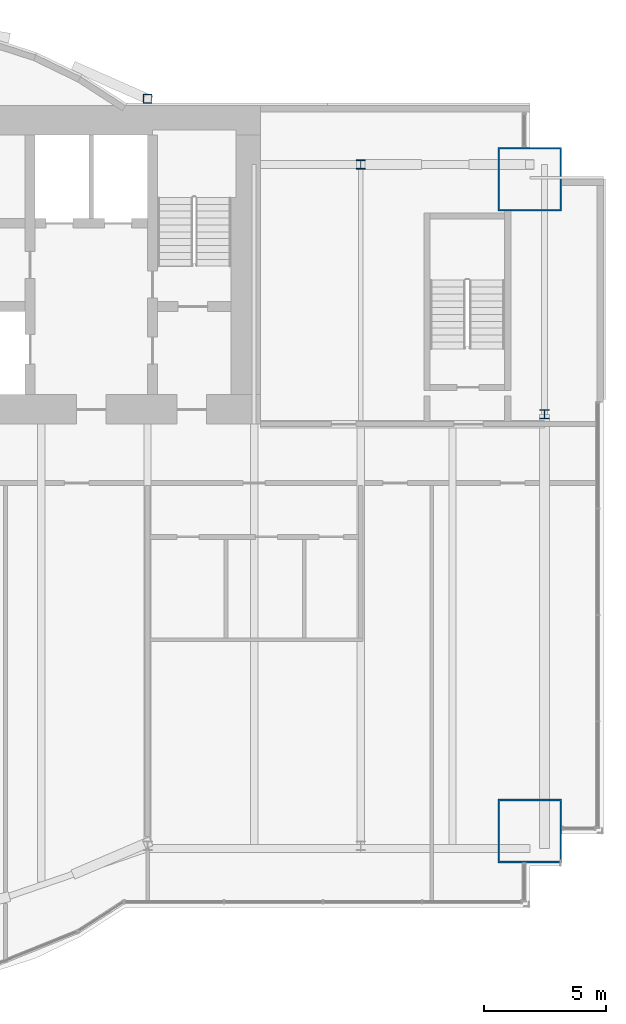
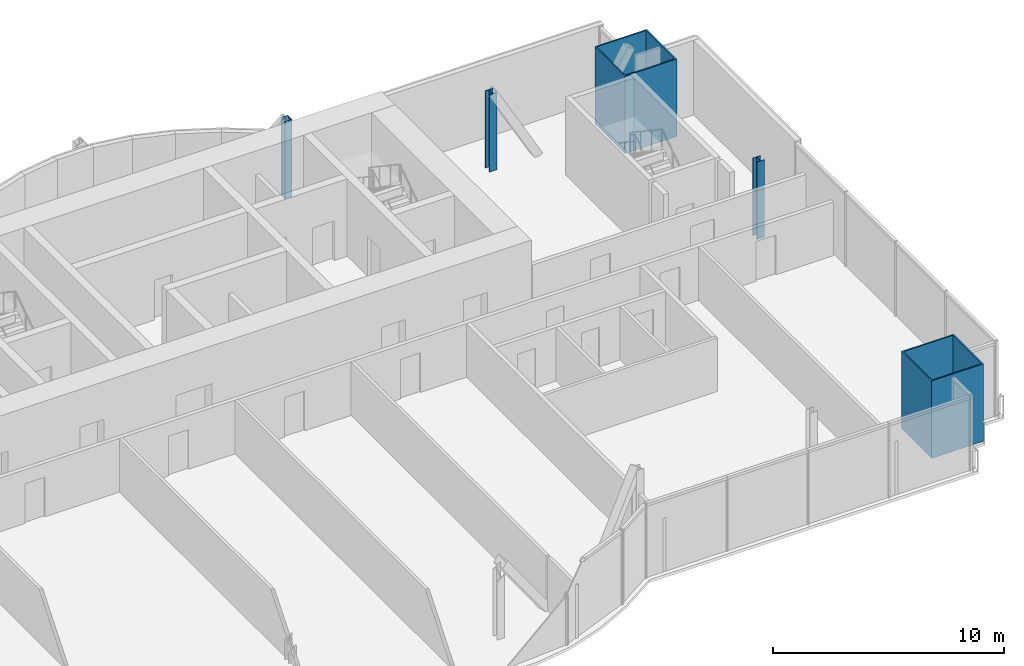
# One storey, part 4 of 20: 5 columns.
"""IFC4 building model written with IfcOpenShell, lengths in metres."""

from ifc_helpers import new_model, si_unit, direction, frame, origin, origin_2d, place, context, subcontext, project, spatial, hollow_rectangle, i_section, extrude, material, material_profile, profile_set, type_object, element, save


model = new_model("IFC4")

# Units and contexts
model_context = context("Model", 3, precision=1e-05, world=origin(), true_north=direction((0.0, 1.0)))
body_context = subcontext(model_context, "Body", "Model", "MODEL_VIEW")
ifc_project = project(units=[si_unit("LENGTHUNIT", "METRE"), si_unit("AREAUNIT", "SQUARE_METRE"), si_unit("VOLUMEUNIT", "CUBIC_METRE"), si_unit("PLANEANGLEUNIT", "RADIAN"), si_unit("MASSUNIT", "GRAM", prefix="KILO")], contexts=[model_context])

# Site, building, storey
site_placement = place(None, origin())
site = spatial("IfcSite", under=ifc_project, at=site_placement, CompositionType="ELEMENT")
building_placement = place(site_placement, origin())
building = spatial("IfcBuilding", under=site, at=building_placement, Name="Bicima Exchange Tower", CompositionType="ELEMENT")
storey_placement = place(building_placement, frame((0.0, 0.0, 199.10009765625)))
storey = spatial("IfcBuildingStorey", under=building, at=storey_placement, Name="L44", CompositionType="ELEMENT", Elevation=199.10009765625)

# Columns
ifc_material_1 = material(Name="Steel ASTM A572 Gr 50", Category="steel")
ifc_material_profile_1 = material_profile(ifc_material_1, hollow_rectangle(XDim=2.60009765625, YDim=2.60009765625, WallThickness=0.070068359375, at=origin_2d()))
ifc_profile_set_1 = profile_set([ifc_material_profile_1], Name="Steel ASTM A572 Gr 50")
column_type_1 = type_object("IfcColumnType", Name="Mega column BOX 2600x2600x70", PredefinedType="COLUMN", material=ifc_profile_set_1)
for number, where, z_axis, x_axis, name in (
    (1, (33.0, -29.60595703125, 0.0), (0.0, 0.0, 1.0), (1.0, 0.0, 0.0), "Mega column mega+33.0f"),
    (2, (33.0, -3.0, 0.0), (0.0, 0.0, 1.0), (1.0, 0.0, 0.0), "Mega column mega+33.0r"),
):
    element("IfcColumn", number, at=place(storey_placement, frame(where, z_axis=z_axis, x_axis=x_axis)), inside=storey, type_object=column_type_1, Name=name, PredefinedType="COLUMN", context=body_context, shape_type="SweptSolid", body=[
        extrude(hollow_rectangle(XDim=2.60009765625, YDim=2.60009765625, WallThickness=0.070068359375, at=origin_2d()), origin(), (0.0, 0.0, 1.0), 4.099853515625),
    ])
ifc_material_2 = material(Name="Steel ASTM A992 Gr 50", Category="steel")
ifc_material_profile_2 = material_profile(ifc_material_2, i_section(OverallWidth=0.373291015625, OverallDepth=0.373291015625, WebThickness=0.016357421875, FlangeThickness=0.026123046875, at=origin_2d()))
ifc_profile_set_2 = profile_set([ifc_material_profile_2], Name="Steel ASTM A992 Gr 50")
column_type_2 = type_object("IfcColumnType", Name="Perimeter column W14x132", PredefinedType="COLUMN", material=ifc_profile_set_2)
for number, where, z_axis, x_axis, name in (
    (3, (26.10009765625, -2.39990234375, 0.0), (0.0, 0.0, 1.0), (1.0, 0.0, 0.0), "Perimeter column grav+26.1r"),
    (4, (33.60009765625, -12.60009765625, 0.0), (0.0, 0.0, 1.0), (1.0, 0.0, 0.0), "End column end+33.6e"),
):
    element("IfcColumn", number, at=place(storey_placement, frame(where, z_axis=z_axis, x_axis=x_axis)), inside=storey, type_object=column_type_2, Name=name, PredefinedType="COLUMN", context=body_context, shape_type="SweptSolid", body=[
        extrude(i_section(OverallWidth=0.373291015625, OverallDepth=0.373291015625, WebThickness=0.016357421875, FlangeThickness=0.026123046875, at=origin_2d()), origin(), (0.0, 0.0, 1.0), 4.099853515625),
    ])
ifc_material_profile_3 = material_profile(ifc_material_1, hollow_rectangle(XDim=0.355712890625, YDim=0.355712890625, WallThickness=0.01171875, at=origin_2d()))
ifc_profile_set_3 = profile_set([ifc_material_profile_3], Name="Steel ASTM A572 Gr 50")
column_type_3 = type_object("IfcColumnType", Name="Rear pilaster HSS14x14x1/2", PredefinedType="COLUMN", material=ifc_profile_set_3)
column_placement = place(storey_placement, frame((17.39990234375, 0.278076171875, 0.0), z_axis=(0.0, 0.0, 1.0), x_axis=(1.0, 0.0, 0.0)))
element("IfcColumn", 5, at=column_placement, inside=storey, type_object=column_type_3, Name="Rear pilaster rexo+17.4r", PredefinedType="COLUMN", context=body_context, shape_type="SweptSolid", body=[
    extrude(hollow_rectangle(XDim=0.355712890625, YDim=0.355712890625, WallThickness=0.01171875, at=origin_2d()), origin(), (0.0, 0.0, 1.0), 4.099853515625),
])

save(model, "model.ifc")
